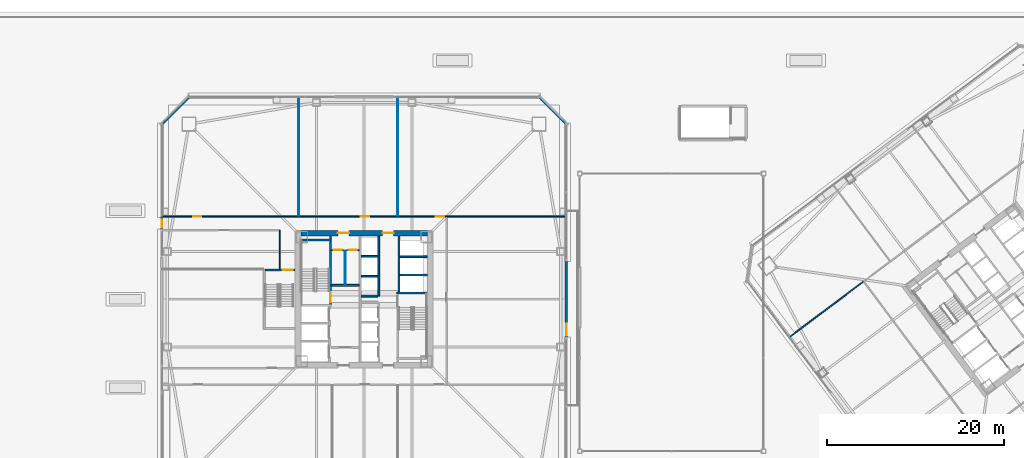
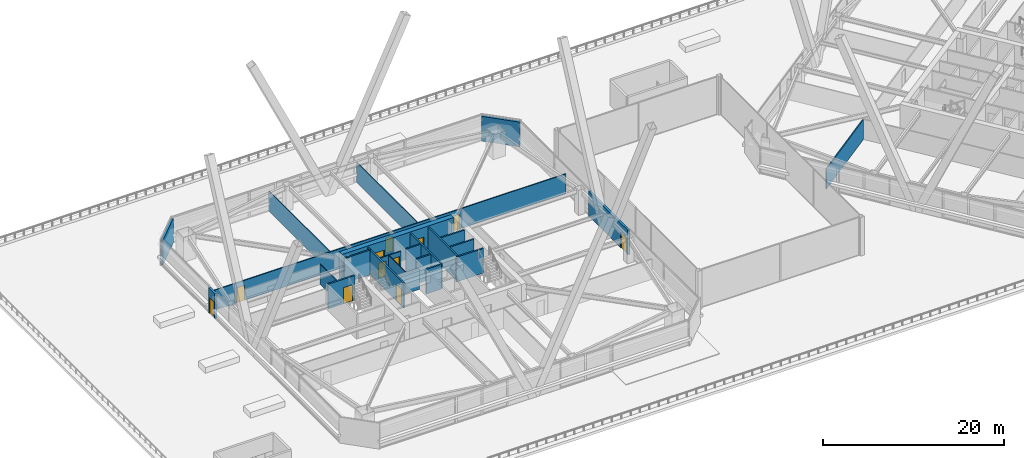
# One storey, part 69 of 83: 26 walls, 11 doors, 11 openings.
"""IFC4 building model written with IfcOpenShell, lengths in metres."""

from ifc_helpers import new_model, si_unit, direction, frame, frame_2d, origin, place, context, subcontext, project, spatial, rectangle, extrude, material, layer, layer_set, type_object, element, fill, save


model = new_model("IFC4")

# Units and contexts
model_context = context("Model", 3, precision=1e-05, world=origin(), true_north=direction((0.0, 1.0)))
body_context = subcontext(model_context, "Body", "Model", "MODEL_VIEW")
ifc_project = project(units=[si_unit("LENGTHUNIT", "METRE"), si_unit("AREAUNIT", "SQUARE_METRE"), si_unit("VOLUMEUNIT", "CUBIC_METRE"), si_unit("PLANEANGLEUNIT", "RADIAN"), si_unit("MASSUNIT", "GRAM", prefix="KILO")], contexts=[model_context])

# Site, building, storey
site_placement = place(None, origin())
site = spatial("IfcSite", under=ifc_project, at=site_placement, CompositionType="ELEMENT")
building_placement = place(site_placement, origin())
building = spatial("IfcBuilding", under=site, at=building_placement, Name="Tashvorn Skyway Center", CompositionType="ELEMENT")
storey_placement = place(building_placement, frame((0.0, 0.0, 24.60009765625)))
storey = spatial("IfcBuildingStorey", under=building, at=storey_placement, Name="L05", CompositionType="ELEMENT", Elevation=24.60009765625)

# Wall, openings, doors
ifc_material_1 = material(Name="Concrete C60/75", Category="concrete")
ifc_layer_1 = layer(ifc_material_1, 0.64990234375)
ifc_layer_set_1 = layer_set([ifc_layer_1], Name="Concrete C60/75")
wall_type_1 = type_object("IfcWallType", Name="WALL-CORE-650", PredefinedType="SHEAR", material=ifc_layer_set_1)
wall_1_placement = place(storey_placement, frame((34.85009765625, 39.47509765625, 0.0), z_axis=(0.0, 0.0, 1.0), x_axis=(1.0, 0.0, 0.0)))
wall_1 = element("IfcWall", 1, at=wall_1_placement, inside=storey, type_object=wall_type_1, Name="Tower 1 L05 North Core Shear Wall", PredefinedType="SHEAR", context=body_context, shape_type="SweptSolid", body=[
    extrude(rectangle(XDim=14.2998046875, YDim=0.64990234375, at=frame_2d((7.14990234375, 0.0))), origin(), (0.0, 0.0, 1.0), 3.5498046875),
])
opening_1_placement = place(wall_1_placement, frame((4.199951171875, 0.0, 0.0)))
opening_1 = element("IfcOpeningElement", 2, at=opening_1_placement, cuts=wall_1, Name="Opening D-FFL-1250", PredefinedType="OPENING", context=body_context, shape_type="SweptSolid", body=[
    extrude(rectangle(XDim=1.25, YDim=2.25, at=frame_2d((0.625, 1.125))), frame((0.0, 0.3349609375, 0.0), z_axis=(0.0, -1.0, 0.0), x_axis=(1.0, 0.0, 0.0)), (0.0, 0.0, 1.0), 0.669921875),
])
opening_2_placement = place(wall_1_placement, frame((9.25, 0.0, 0.0)))
opening_2 = element("IfcOpeningElement", 3, at=opening_2_placement, cuts=wall_1, Name="Opening D-FFL-1250", PredefinedType="OPENING", context=body_context, shape_type="SweptSolid", body=[
    extrude(rectangle(XDim=1.25, YDim=2.25, at=frame_2d((0.625, 1.125))), frame((0.0, 0.3349609375, 0.0), z_axis=(0.0, -1.0, 0.0), x_axis=(1.0, 0.0, 0.0)), (0.0, 0.0, 1.0), 0.669921875),
])
ifc_material_2 = material(Name="Hollow galvanized steel fire door assembly", Category="steel")
door_type_1 = type_object("IfcDoorType", Name="DOOR-FFL-1250", OperationType="NOTDEFINED", PredefinedType="DOOR", material=ifc_material_2)
door_1_placement = place(opening_1_placement, origin())
door_1 = element("IfcDoor", 4, at=door_1_placement, inside=storey, type_object=door_type_1, Name="Tower 1 L05 Core North Service Lobby Door", OperationType="SINGLE_SWING_LEFT", OverallHeight=2.25, OverallWidth=1.25, PredefinedType="DOOR", context=body_context, shape_type="SweptSolid", body=[
    extrude(rectangle(XDim=1.25, YDim=2.25, at=frame_2d((0.625, 1.125))), frame((0.0, 0.02490234375, 0.0), z_axis=(0.0, -1.0, 0.0), x_axis=(1.0, 0.0, 0.0)), (0.0, 0.0, 1.0), 0.050048828125),
])
fill(opening_1, door_1)
door_2_placement = place(opening_2_placement, origin())
door_2 = element("IfcDoor", 5, at=door_2_placement, inside=storey, type_object=door_type_1, Name="Tower 1 L05 Core North Lift Lobby Door", OperationType="SINGLE_SWING_RIGHT", OverallHeight=2.25, OverallWidth=1.25, PredefinedType="DOOR", context=body_context, shape_type="SweptSolid", body=[
    extrude(rectangle(XDim=1.25, YDim=2.25, at=frame_2d((0.625, 1.125))), frame((0.0, 0.02490234375, 0.0), z_axis=(0.0, -1.0, 0.0), x_axis=(1.0, 0.0, 0.0)), (0.0, 0.0, 1.0), 0.050048828125),
])
fill(opening_2, door_2)

# Wall, opening, door
ifc_material_3 = material(Name="Precast concrete C40/50", Category="concrete")
ifc_layer_2 = layer(ifc_material_3, 0.280029296875)
ifc_layer_set_2 = layer_set([ifc_layer_2], Name="Precast concrete C40/50")
wall_type_2 = type_object("IfcWallType", Name="WALL-EXT-280", PredefinedType="SOLIDWALL", material=ifc_layer_set_2)
wall_2_placement = place(storey_placement, frame((19.1201171875, 39.867431640625, 0.0), z_axis=(0.0, 0.0, 1.0), x_axis=(0.0, 1.0, 0.0)))
wall_2 = element("IfcWall", 6, at=wall_2_placement, inside=storey, type_object=wall_type_2, Name="Tower 1 L05 West Roof Maintenance Access Wall", PredefinedType="SOLIDWALL", context=body_context, shape_type="SweptSolid", body=[
    extrude(rectangle(XDim=1.4150390625, YDim=0.280029296875, at=frame_2d((0.70751953125, 0.0))), origin(), (0.0, 0.0, 1.0), 3.349853515625),
])
opening_3_placement = place(wall_2_placement, frame((0.20751953125, 0.0, 0.0)))
opening_3 = element("IfcOpeningElement", 7, at=opening_3_placement, cuts=wall_2, Name="Opening D-RMA-1000", PredefinedType="OPENING", context=body_context, shape_type="SweptSolid", body=[
    extrude(rectangle(XDim=1.0, YDim=2.14990234375, at=frame_2d((0.5, 1.074951171875))), frame((0.0, 0.14990234375, 0.0), z_axis=(0.0, -1.0, 0.0), x_axis=(1.0, 0.0, 0.0)), (0.0, 0.0, 1.0), 0.300048828125),
])
ifc_material_4 = material(Name="Galvanized steel S355", Category="steel")
door_type_2 = type_object("IfcDoorType", Name="DOOR-RMA-1000", OperationType="NOTDEFINED", PredefinedType="DOOR", material=ifc_material_4)
door_3_placement = place(opening_3_placement, origin())
door_3 = element("IfcDoor", 8, at=door_3_placement, inside=storey, type_object=door_type_2, Name="Tower 1 L05 Roof Maintenance Access Door (locked, authorised staff only)", OperationType="SINGLE_SWING_LEFT", OverallHeight=2.14990234375, OverallWidth=1.0, PredefinedType="DOOR", context=body_context, shape_type="SweptSolid", body=[
    extrude(rectangle(XDim=1.0, YDim=2.14990234375, at=frame_2d((0.5, 1.074951171875))), frame((0.0, 0.02490234375, 0.0), z_axis=(0.0, -1.0, 0.0), x_axis=(1.0, 0.0, 0.0)), (0.0, 0.0, 1.0), 0.050048828125),
])
fill(opening_3, door_3)

wall_3_placement = place(storey_placement, frame((64.8798828125, 36.35009765625, 0.0), z_axis=(0.0, 0.0, 1.0), x_axis=(0.0, -1.0, 0.0)))
wall_3 = element("IfcWall", 9, at=wall_3_placement, inside=storey, type_object=wall_type_2, Name="Tower 1 L05 East Terrace Portal Wall", PredefinedType="SOLIDWALL", context=body_context, shape_type="SweptSolid", body=[
    extrude(rectangle(XDim=8.7001953125, YDim=0.280029296875, at=frame_2d((4.35009765625, 0.0))), origin(), (0.0, 0.0, 1.0), 3.349853515625),
])
opening_4_placement = place(wall_3_placement, frame((7.14990234375, 0.0, 0.0)))
opening_4 = element("IfcOpeningElement", 10, at=opening_4_placement, cuts=wall_3, Name="Opening D-TER-1300", PredefinedType="OPENING", context=body_context, shape_type="SweptSolid", body=[
    extrude(rectangle(XDim=1.300048828125, YDim=2.14990234375, at=frame_2d((0.64990234375, 1.074951171875))), frame((0.0, 0.14990234375, 0.0), z_axis=(0.0, -1.0, 0.0), x_axis=(1.0, 0.0, 0.0)), (0.0, 0.0, 1.0), 0.300048828125),
])
ifc_material_5 = material(Name="Thermally broken bronze-anodized aluminium 6063-T6", Category="aluminium")
door_type_3 = type_object("IfcDoorType", Name="DOOR-TERR-1300", OperationType="NOTDEFINED", PredefinedType="DOOR", material=ifc_material_5)
door_4_placement = place(opening_4_placement, origin())
door_4 = element("IfcDoor", 11, at=door_4_placement, inside=storey, type_object=door_type_3, Name="Tower 1 L05 Terrace Access Door", OperationType="SINGLE_SWING_LEFT", OverallHeight=2.14990234375, OverallWidth=1.300048828125, PredefinedType="DOOR", context=body_context, shape_type="SweptSolid", body=[
    extrude(rectangle(XDim=1.300048828125, YDim=2.14990234375, at=frame_2d((0.64990234375, 1.074951171875))), frame((0.0, 0.02490234375, 0.0), z_axis=(0.0, -1.0, 0.0), x_axis=(1.0, 0.0, 0.0)), (0.0, 0.0, 1.0), 0.050048828125),
])
fill(opening_4, door_4)

# Walls
for number, where, z_axis, x_axis, name in (
    (12, (19.10009765625, 51.800048828125, 0.0), (0.0, 0.0, 1.0), (0.707106781187, 0.707106781187, 0.0), "Tower 1 L05 NW Precast Chamfer Wall"),
    (13, (61.800048828125, 54.89990234375, 0.0), (0.0, 0.0, 1.0), (0.707106781187, -0.707106781187, 0.0), "Tower 1 L05 NE Precast Chamfer Wall"),
):
    element("IfcWall", number, at=place(storey_placement, frame(where, z_axis=z_axis, x_axis=x_axis)), inside=storey, type_object=wall_type_2, Name=name, PredefinedType="SOLIDWALL", context=body_context, shape_type="SweptSolid", body=[
        extrude(rectangle(XDim=4.3837890625, YDim=0.280029296875, at=frame_2d((2.19189453125, 0.0))), origin(), (0.0, 0.0, 1.0), 3.349853515625),
    ])
ifc_material_6 = material(Name="Concrete C40/50", Category="concrete")
ifc_layer_3 = layer(ifc_material_6, 0.219970703125)
ifc_layer_set_3 = layer_set([ifc_layer_3], Name="Concrete C40/50")
wall_type_3 = type_object("IfcWallType", Name="WALL-FFL-220", PredefinedType="SOLIDWALL", material=ifc_layer_set_3)
wall_4_placement = place(storey_placement, frame((38.300048828125, 33.56005859375, 0.0), z_axis=(0.0, 0.0, 1.0), x_axis=(1.0, 0.0, 0.0)))
element("IfcWall", 14, at=wall_4_placement, inside=storey, type_object=wall_type_3, Name="Tower 1 L05 Firefighting Lobby North Wall", PredefinedType="SOLIDWALL", context=body_context, shape_type="SweptSolid", body=[
    extrude(rectangle(XDim=3.14990234375, YDim=0.219970703125, at=frame_2d((1.574951171875, 0.0))), origin(), (0.0, 0.0, 1.0), 2.702880859375),
])
ifc_material_7 = material(Name="Gypsum board on cold-formed steel stud framing", Category="steel")
ifc_layer_4 = layer(ifc_material_7, 0.110107421875)
ifc_layer_set_4 = layer_set([ifc_layer_4], Name="Gypsum board on cold-formed steel stud framing")
wall_type_4 = type_object("IfcWallType", Name="WALL-PART-110", PredefinedType="PARTITIONING", material=ifc_layer_set_4)
for number, where, z_axis, x_axis, name in (
    (15, (34.60009765625, 41.429931640625, 0.0), (0.0, 0.0, 1.0), (0.0, 1.0, 0.0), "Tower 1 L05 North Suite Partition 1"),
    (16, (45.800048828125, 41.429931640625, 0.0), (0.0, 0.0, 1.0), (0.0, 1.0, 0.0), "Tower 1 L05 North Suite Partition 2"),
):
    element("IfcWall", number, at=place(storey_placement, frame(where, z_axis=z_axis, x_axis=x_axis)), inside=storey, type_object=wall_type_4, Name=name, PredefinedType="PARTITIONING", context=body_context, shape_type="SweptSolid", body=[
        extrude(rectangle(XDim=13.449951171875, YDim=0.110107421875, at=frame_2d((6.72509765625, 0.0))), origin(), (0.0, 0.0, 1.0), 2.702880859375),
    ])
ifc_layer_5 = layer(ifc_material_7, 0.135009765625)
ifc_layer_set_5 = layer_set([ifc_layer_5], Name="Gypsum board on cold-formed steel stud framing")
wall_type_5 = type_object("IfcWallType", Name="WALL-PART-135", PredefinedType="PARTITIONING", material=ifc_layer_set_5)
wall_5_placement = place(storey_placement, frame((32.449951171875, 35.39990234375, 0.0), z_axis=(0.0, 0.0, 1.0), x_axis=(0.0, 1.0, 0.0)))
element("IfcWall", 17, at=wall_5_placement, inside=storey, type_object=wall_type_5, Name="Tower 1 L05 Stair 3 Access Corridor Wall", PredefinedType="PARTITIONING", context=body_context, shape_type="SweptSolid", body=[
    extrude(rectangle(XDim=4.400146484375, YDim=0.135009765625, at=frame_2d((2.2001953125, 0.0))), origin(), (0.0, 0.0, 1.0), 2.702880859375),
])

# Wall, openings, doors
wall_6_placement = place(storey_placement, frame((22.35009765625, 41.35009765625, 0.0), z_axis=(0.0, 0.0, 1.0), x_axis=(1.0, 0.0, 0.0)))
wall_6 = element("IfcWall", 18, at=wall_6_placement, inside=storey, type_object=wall_type_5, Name="Tower 1 L05 North Suite Wall", PredefinedType="PARTITIONING", context=body_context, shape_type="SweptSolid", body=[
    extrude(rectangle(XDim=29.0, YDim=0.135009765625, at=frame_2d((14.5, 0.0))), origin(), (0.0, 0.0, 1.0), 2.702880859375),
])
opening_5_placement = place(wall_6_placement, frame((0.300048828125, 0.0, 0.0)))
opening_5 = element("IfcOpeningElement", 19, at=opening_5_placement, cuts=wall_6, Name="Opening D-INT-950", PredefinedType="OPENING", context=body_context, shape_type="SweptSolid", body=[
    extrude(rectangle(XDim=0.949951171875, YDim=2.050048828125, at=frame_2d((0.47509765625, 1.02490234375))), frame((0.0, 0.077392578125, 0.0), z_axis=(0.0, -1.0, 0.0), x_axis=(1.0, 0.0, 0.0)), (0.0, 0.0, 1.0), 0.155029296875),
])
opening_6_placement = place(wall_6_placement, frame((19.298583984375, 0.0, 0.0)))
opening_6 = element("IfcOpeningElement", 20, at=opening_6_placement, cuts=wall_6, Name="Opening D-INT-950", PredefinedType="OPENING", context=body_context, shape_type="SweptSolid", body=[
    extrude(rectangle(XDim=0.949951171875, YDim=2.050048828125, at=frame_2d((0.47509765625, 1.02490234375))), frame((0.0, 0.077392578125, 0.0), z_axis=(0.0, -1.0, 0.0), x_axis=(1.0, 0.0, 0.0)), (0.0, 0.0, 1.0), 0.155029296875),
])
opening_7_placement = place(wall_6_placement, frame((27.75, 0.0, 0.0)))
opening_7 = element("IfcOpeningElement", 21, at=opening_7_placement, cuts=wall_6, Name="Opening D-INT-950", PredefinedType="OPENING", context=body_context, shape_type="SweptSolid", body=[
    extrude(rectangle(XDim=0.949951171875, YDim=2.050048828125, at=frame_2d((0.47509765625, 1.02490234375))), frame((0.0, 0.077392578125, 0.0), z_axis=(0.0, -1.0, 0.0), x_axis=(1.0, 0.0, 0.0)), (0.0, 0.0, 1.0), 0.155029296875),
])
ifc_material_8 = material(Name="Solid-core architectural oak veneer door")
door_type_4 = type_object("IfcDoorType", Name="DOOR-INT-950", OperationType="NOTDEFINED", PredefinedType="DOOR", material=ifc_material_8)
door_5_placement = place(opening_5_placement, origin())
door_5 = element("IfcDoor", 22, at=door_5_placement, inside=storey, type_object=door_type_4, Name="Tower 1 L05 Open Plan Office Door", OperationType="SINGLE_SWING_RIGHT", OverallHeight=2.050048828125, OverallWidth=0.949951171875, PredefinedType="DOOR", context=body_context, shape_type="SweptSolid", body=[
    extrude(rectangle(XDim=0.949951171875, YDim=2.050048828125, at=frame_2d((0.47509765625, 1.02490234375))), frame((0.0, 0.02490234375, 0.0), z_axis=(0.0, -1.0, 0.0), x_axis=(1.0, 0.0, 0.0)), (0.0, 0.0, 1.0), 0.050048828125),
])
fill(opening_5, door_5)
door_6_placement = place(opening_6_placement, origin())
door_6 = element("IfcDoor", 23, at=door_6_placement, inside=storey, type_object=door_type_4, Name="Tower 1 L05 Open Plan Office Door", OperationType="SINGLE_SWING_LEFT", OverallHeight=2.050048828125, OverallWidth=0.949951171875, PredefinedType="DOOR", context=body_context, shape_type="SweptSolid", body=[
    extrude(rectangle(XDim=0.949951171875, YDim=2.050048828125, at=frame_2d((0.47509765625, 1.02490234375))), frame((0.0, 0.02490234375, 0.0), z_axis=(0.0, -1.0, 0.0), x_axis=(1.0, 0.0, 0.0)), (0.0, 0.0, 1.0), 0.050048828125),
])
fill(opening_6, door_6)
door_7_placement = place(opening_7_placement, origin())
door_7 = element("IfcDoor", 24, at=door_7_placement, inside=storey, type_object=door_type_4, Name="Tower 1 L05 Catering Pantry Door", OperationType="SINGLE_SWING_RIGHT", OverallHeight=2.050048828125, OverallWidth=0.949951171875, PredefinedType="DOOR", context=body_context, shape_type="SweptSolid", body=[
    extrude(rectangle(XDim=0.949951171875, YDim=2.050048828125, at=frame_2d((0.47509765625, 1.02490234375))), frame((0.0, 0.02490234375, 0.0), z_axis=(0.0, -1.0, 0.0), x_axis=(1.0, 0.0, 0.0)), (0.0, 0.0, 1.0), 0.050048828125),
])
fill(opening_7, door_7)

# Walls
wall_7_placement = place(storey_placement, frame((19.1201171875, 41.35009765625, 0.0), z_axis=(0.0, 0.0, 1.0), x_axis=(1.0, 0.0, 0.0)))
element("IfcWall", 25, at=wall_7_placement, inside=storey, type_object=wall_type_5, Name="Tower 1 L05 North-West Suite South Wall", PredefinedType="PARTITIONING", context=body_context, shape_type="SweptSolid", body=[
    extrude(rectangle(XDim=3.22998046875, YDim=0.135009765625, at=frame_2d((1.614990234375, 0.0))), origin(), (0.0, 0.0, 1.0), 2.702880859375),
])
wall_8_placement = place(storey_placement, frame((64.72998046875, 41.35009765625, 0.0), z_axis=(0.0, 0.0, 1.0), x_axis=(-1.0, 0.0, 0.0)))
element("IfcWall", 26, at=wall_8_placement, inside=storey, type_object=wall_type_5, Name="Tower 1 L05 East Suite North Wall", PredefinedType="PARTITIONING", context=body_context, shape_type="SweptSolid", body=[
    extrude(rectangle(XDim=13.300048828125, YDim=0.135009765625, at=frame_2d((6.64990234375, 0.0))), origin(), (0.0, 0.0, 1.0), 2.702880859375),
])
wall_9_placement = place(storey_placement, frame((98.451904296875, 33.964111328125, 0.0), z_axis=(0.0, 0.0, 1.0), x_axis=(-0.799988753532, -0.600014994998, 0.0)))
element("IfcWall", 27, at=wall_9_placement, inside=storey, type_object=wall_type_5, Name="Tower 2 L05 West Suite North Wall", PredefinedType="PARTITIONING", context=body_context, shape_type="SweptSolid", body=[
    extrude(rectangle(XDim=10.420166015625, YDim=0.135009765625, at=frame_2d((5.2099609375, 0.0))), origin(), (0.0, 0.0, 1.0), 2.702880859375),
])
ifc_layer_6 = layer(ifc_material_7, 0.110107421875)
ifc_layer_set_6 = layer_set([ifc_layer_6], Name="Gypsum board on cold-formed steel stud framing")
wall_type_6 = type_object("IfcWallType", Name="WALL-RATED-110", PredefinedType="PARTITIONING", material=ifc_layer_set_6)
wall_10_placement = place(storey_placement, frame((39.8798828125, 33.679931640625, 0.0), z_axis=(0.0, 0.0, 1.0), x_axis=(0.0, 1.0, 0.0)))
element("IfcWall", 28, at=wall_10_placement, inside=storey, type_object=wall_type_6, Name="Tower 1 L05 Core Split Partition", PredefinedType="PARTITIONING", context=body_context, shape_type="SweptSolid", body=[
    extrude(rectangle(XDim=3.800048828125, YDim=0.110107421875, at=frame_2d((1.89990234375, 0.0))), origin(), (0.0, 0.0, 1.0), 2.702880859375),
])

# Wall, openings, doors
ifc_layer_7 = layer(ifc_material_7, 0.135009765625)
ifc_layer_set_7 = layer_set([ifc_layer_7], Name="Gypsum board on cold-formed steel stud framing")
wall_type_7 = type_object("IfcWallType", Name="WALL-RATED-135", PredefinedType="PARTITIONING", material=ifc_layer_set_7)
wall_11_placement = place(storey_placement, frame((38.300048828125, 37.550048828125, 0.0), z_axis=(0.0, 0.0, 1.0), x_axis=(1.0, 0.0, 0.0)))
wall_11 = element("IfcWall", 29, at=wall_11_placement, inside=storey, type_object=wall_type_7, Name="Tower 1 L05 Core Service Lobby Wall", PredefinedType="PARTITIONING", context=body_context, shape_type="SweptSolid", body=[
    extrude(rectangle(XDim=3.14990234375, YDim=0.135009765625, at=frame_2d((1.574951171875, 0.0))), origin(), (0.0, 0.0, 1.0), 2.702880859375),
])
opening_8_placement = place(wall_11_placement, frame((0.25, 0.0, 0.0)))
opening_8 = element("IfcOpeningElement", 30, at=opening_8_placement, cuts=wall_11, Name="Opening D-RT-950", PredefinedType="OPENING", context=body_context, shape_type="SweptSolid", body=[
    extrude(rectangle(XDim=0.949951171875, YDim=2.050048828125, at=frame_2d((0.47509765625, 1.02490234375))), frame((0.0, 0.077392578125, 0.0), z_axis=(0.0, -1.0, 0.0), x_axis=(1.0, 0.0, 0.0)), (0.0, 0.0, 1.0), 0.155029296875),
])
opening_9_placement = place(wall_11_placement, frame((1.949951171875, 0.0, 0.0)))
opening_9 = element("IfcOpeningElement", 31, at=opening_9_placement, cuts=wall_11, Name="Opening D-RT-950", PredefinedType="OPENING", context=body_context, shape_type="SweptSolid", body=[
    extrude(rectangle(XDim=0.949951171875, YDim=2.050048828125, at=frame_2d((0.47509765625, 1.02490234375))), frame((0.0, 0.077392578125, 0.0), z_axis=(0.0, -1.0, 0.0), x_axis=(1.0, 0.0, 0.0)), (0.0, 0.0, 1.0), 0.155029296875),
])
door_type_5 = type_object("IfcDoorType", Name="DOOR-RATED-950", OperationType="NOTDEFINED", PredefinedType="DOOR", material=ifc_material_2)
door_8_placement = place(opening_8_placement, origin())
door_8 = element("IfcDoor", 32, at=door_8_placement, inside=storey, type_object=door_type_5, Name="Tower 1 L05 Core Accessible WC Door", OperationType="SINGLE_SWING_LEFT", OverallHeight=2.050048828125, OverallWidth=0.949951171875, PredefinedType="DOOR", context=body_context, shape_type="SweptSolid", body=[
    extrude(rectangle(XDim=0.949951171875, YDim=2.050048828125, at=frame_2d((0.47509765625, 1.02490234375))), frame((0.0, 0.02490234375, 0.0), z_axis=(0.0, -1.0, 0.0), x_axis=(1.0, 0.0, 0.0)), (0.0, 0.0, 1.0), 0.050048828125),
])
fill(opening_8, door_8)
door_9_placement = place(opening_9_placement, origin())
door_9 = element("IfcDoor", 33, at=door_9_placement, inside=storey, type_object=door_type_5, Name="Tower 1 L05 Core Cleaner Store Door", OperationType="SINGLE_SWING_RIGHT", OverallHeight=2.050048828125, OverallWidth=0.949951171875, PredefinedType="DOOR", context=body_context, shape_type="SweptSolid", body=[
    extrude(rectangle(XDim=0.949951171875, YDim=2.050048828125, at=frame_2d((0.47509765625, 1.02490234375))), frame((0.0, 0.02490234375, 0.0), z_axis=(0.0, -1.0, 0.0), x_axis=(1.0, 0.0, 0.0)), (0.0, 0.0, 1.0), 0.050048828125),
])
fill(opening_9, door_9)

# Walls
ifc_layer_8 = layer(ifc_material_6, 0.199951171875)
ifc_layer_set_8 = layer_set([ifc_layer_8], Name="Concrete C40/50")
wall_type_8 = type_object("IfcWallType", Name="WALL-SHAFT-200", PredefinedType="SOLIDWALL", material=ifc_layer_set_8)
for number, where, z_axis, x_axis, name in (
    (34, (46.050048828125, 34.75, 0.0), (0.0, 0.0, 1.0), (1.0, 0.0, 0.0), "Tower 1 L05 High-Rise Shaft Divider"),
    (35, (46.050048828125, 36.800048828125, 0.0), (0.0, 0.0, 1.0), (1.0, 0.0, 0.0), "Tower 1 L05 High-Rise Shaft Divider"),
):
    element("IfcWall", number, at=place(storey_placement, frame(where, z_axis=z_axis, x_axis=x_axis)), inside=storey, type_object=wall_type_8, Name=name, PredefinedType="SOLIDWALL", context=body_context, shape_type="SweptSolid", body=[
        extrude(rectangle(XDim=3.099853515625, YDim=0.199951171875, at=frame_2d((1.5498046875, 0.0))), origin(), (0.0, 0.0, 1.0), 3.349853515625),
    ])
wall_12_placement = place(storey_placement, frame((43.64990234375, 32.35009765625, 0.0), z_axis=(0.0, 0.0, 1.0), x_axis=(0.0, 1.0, 0.0)))
element("IfcWall", 36, at=wall_12_placement, inside=storey, type_object=wall_type_8, Name="Tower 1 L05 Mid-Rise Core Wall", PredefinedType="SOLIDWALL", context=body_context, shape_type="SweptSolid", body=[
    extrude(rectangle(XDim=6.7998046875, YDim=0.199951171875, at=frame_2d((3.39990234375, 0.0))), origin(), (0.0, 0.0, 1.0), 3.349853515625),
])
for number, where, z_axis, x_axis, name in (
    (37, (41.669921875, 32.35009765625, 0.0), (0.0, 0.0, 1.0), (1.0, 0.0, 0.0), "Tower 1 L05 Mid-Rise Shaft Divider"),
    (38, (41.669921875, 34.60009765625, 0.0), (0.0, 0.0, 1.0), (1.0, 0.0, 0.0), "Tower 1 L05 Mid-Rise Shaft Divider"),
    (39, (41.669921875, 36.85009765625, 0.0), (0.0, 0.0, 1.0), (1.0, 0.0, 0.0), "Tower 1 L05 Mid-Rise Shaft Divider"),
):
    element("IfcWall", number, at=place(storey_placement, frame(where, z_axis=z_axis, x_axis=x_axis)), inside=storey, type_object=wall_type_8, Name=name, PredefinedType="SOLIDWALL", context=body_context, shape_type="SweptSolid", body=[
        extrude(rectangle(XDim=1.880126953125, YDim=0.199951171875, at=frame_2d((0.93994140625, 0.0))), origin(), (0.0, 0.0, 1.0), 3.349853515625),
    ])

# Wall, opening, door
ifc_layer_9 = layer(ifc_material_6, 0.199951171875)
ifc_layer_set_9 = layer_set([ifc_layer_9], Name="Concrete C40/50")
wall_type_9 = type_object("IfcWallType", Name="WALL-STSHF-200", PredefinedType="SHEAR", material=ifc_layer_set_9)
wall_13_placement = place(storey_placement, frame((38.199951171875, 31.199951171875, 0.0), z_axis=(0.0, 0.0, 1.0), x_axis=(0.0, 1.0, 0.0)))
wall_13 = element("IfcWall", 40, at=wall_13_placement, inside=storey, type_object=wall_type_9, Name="Tower 1 L05 Stair 1 Enclosure Wall", PredefinedType="SHEAR", context=body_context, shape_type="SweptSolid", body=[
    extrude(rectangle(XDim=7.949951171875, YDim=0.199951171875, at=frame_2d((3.97509765625, 0.0))), origin(), (0.0, 0.0, 1.0), 3.349853515625),
])
opening_10_placement = place(wall_13_placement, frame((0.449951171875, 0.0, 0.0)))
opening_10 = element("IfcOpeningElement", 41, at=opening_10_placement, cuts=wall_13, Name="Opening D-ST-1150", PredefinedType="OPENING", context=body_context, shape_type="SweptSolid", body=[
    extrude(rectangle(XDim=1.14990234375, YDim=2.199951171875, at=frame_2d((0.574951171875, 1.10009765625))), frame((0.0, 0.10986328125, 0.0), z_axis=(0.0, -1.0, 0.0), x_axis=(1.0, 0.0, 0.0)), (0.0, 0.0, 1.0), 0.219970703125),
])
door_type_6 = type_object("IfcDoorType", Name="DOOR-STAIR-1150", OperationType="NOTDEFINED", PredefinedType="DOOR", material=ifc_material_2)
door_10_placement = place(opening_10_placement, origin())
door_10 = element("IfcDoor", 42, at=door_10_placement, inside=storey, type_object=door_type_6, Name="Tower 1 L05 Exit Stair 1 Door", OperationType="SINGLE_SWING_RIGHT", OverallHeight=2.199951171875, OverallWidth=1.14990234375, PredefinedType="DOOR", context=body_context, shape_type="SweptSolid", body=[
    extrude(rectangle(XDim=1.14990234375, YDim=2.199951171875, at=frame_2d((0.574951171875, 1.10009765625))), frame((0.0, 0.02490234375, 0.0), z_axis=(0.0, -1.0, 0.0), x_axis=(1.0, 0.0, 0.0)), (0.0, 0.0, 1.0), 0.050048828125),
])
fill(opening_10, door_10)

# Walls
for number, where, z_axis, x_axis, name in (
    (43, (34.85009765625, 38.699951171875, 0.0), (0.0, 0.0, 1.0), (1.0, 0.0, 0.0), "Tower 1 L05 Stair 1 North Wall"),
    (44, (45.699951171875, 32.699951171875, 0.0), (0.0, 0.0, 1.0), (1.0, 0.0, 0.0), "Tower 1 L05 Stair 2 North Wall"),
):
    element("IfcWall", number, at=place(storey_placement, frame(where, z_axis=z_axis, x_axis=x_axis)), inside=storey, type_object=wall_type_9, Name=name, PredefinedType="SHEAR", context=body_context, shape_type="SweptSolid", body=[
        extrude(rectangle(XDim=3.449951171875, YDim=0.199951171875, at=frame_2d((1.72509765625, 0.0))), origin(), (0.0, 0.0, 1.0), 3.349853515625),
    ])
wall_14_placement = place(storey_placement, frame((45.949951171875, 39.14990234375, 0.0), z_axis=(0.0, 0.0, 1.0), x_axis=(0.0, -1.0, 0.0)))
element("IfcWall", 45, at=wall_14_placement, inside=storey, type_object=wall_type_9, Name="Tower 1 L05 High-Rise Lift Shaft Front Wall", PredefinedType="SHEAR", context=body_context, shape_type="SweptSolid", body=[
    extrude(rectangle(XDim=6.349853515625, YDim=0.199951171875, at=frame_2d((3.1748046875, 0.0))), origin(), (0.0, 0.0, 1.0), 3.349853515625),
])

# Wall, opening, door
wall_15_placement = place(storey_placement, frame((34.199951171875, 35.300048828125, 0.0), z_axis=(0.0, 0.0, 1.0), x_axis=(-1.0, 0.0, 0.0)))
wall_15 = element("IfcWall", 46, at=wall_15_placement, inside=storey, type_object=wall_type_9, Name="Tower 1 L05 Stair 3 Enclosure Wall", PredefinedType="SHEAR", context=body_context, shape_type="SweptSolid", body=[
    extrude(rectangle(XDim=3.39990234375, YDim=0.199951171875, at=frame_2d((1.699951171875, 0.0))), origin(), (0.0, 0.0, 1.0), 3.349853515625),
])
opening_11_placement = place(wall_15_placement, frame((0.27490234375, 0.0, 0.0)))
opening_11 = element("IfcOpeningElement", 47, at=opening_11_placement, cuts=wall_15, Name="Opening D-ST-1150", PredefinedType="OPENING", context=body_context, shape_type="SweptSolid", body=[
    extrude(rectangle(XDim=1.14990234375, YDim=2.199951171875, at=frame_2d((0.574951171875, 1.10009765625))), frame((0.0, 0.10986328125, 0.0), z_axis=(0.0, -1.0, 0.0), x_axis=(1.0, 0.0, 0.0)), (0.0, 0.0, 1.0), 0.219970703125),
])
door_11_placement = place(opening_11_placement, origin())
door_11 = element("IfcDoor", 48, at=door_11_placement, inside=storey, type_object=door_type_6, Name="Tower 1 L05 Exit Stair 3 Door", OperationType="SINGLE_SWING_RIGHT", OverallHeight=2.199951171875, OverallWidth=1.14990234375, PredefinedType="DOOR", context=body_context, shape_type="SweptSolid", body=[
    extrude(rectangle(XDim=1.14990234375, YDim=2.199951171875, at=frame_2d((0.574951171875, 1.10009765625))), frame((0.0, 0.02490234375, 0.0), z_axis=(0.0, -1.0, 0.0), x_axis=(1.0, 0.0, 0.0)), (0.0, 0.0, 1.0), 0.050048828125),
])
fill(opening_11, door_11)

save(model, "model.ifc")
